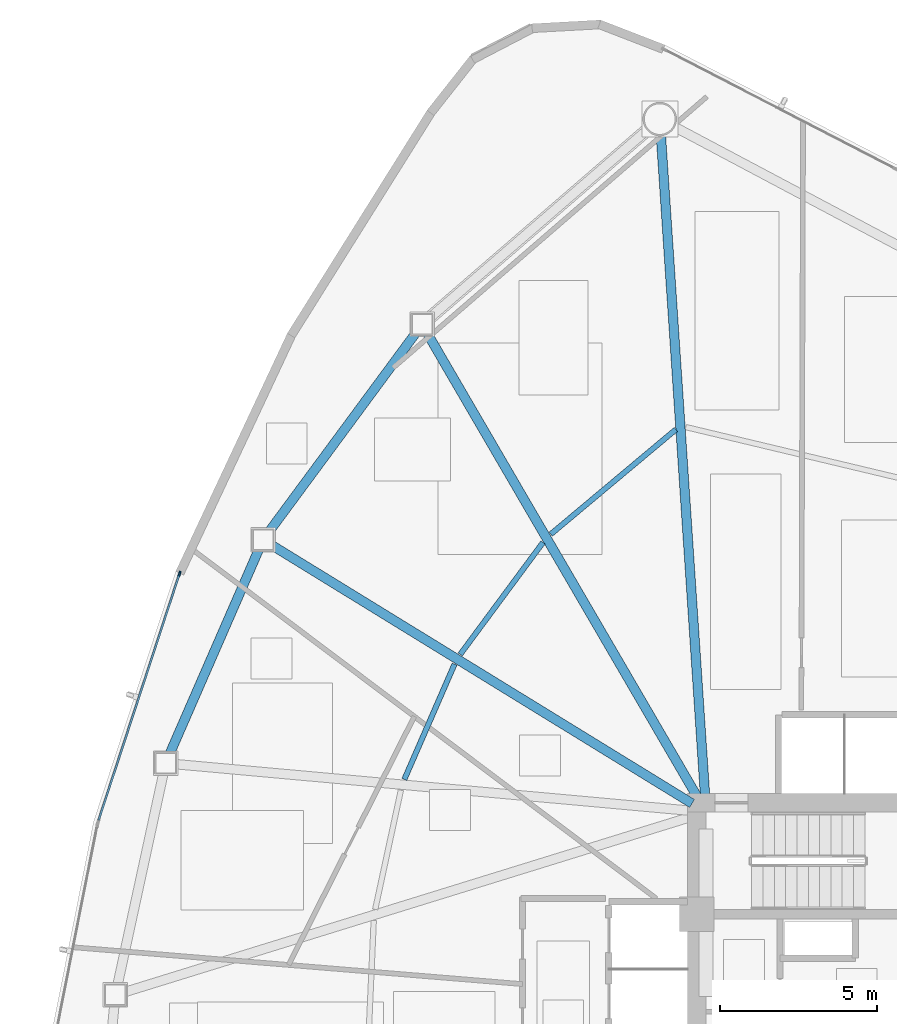
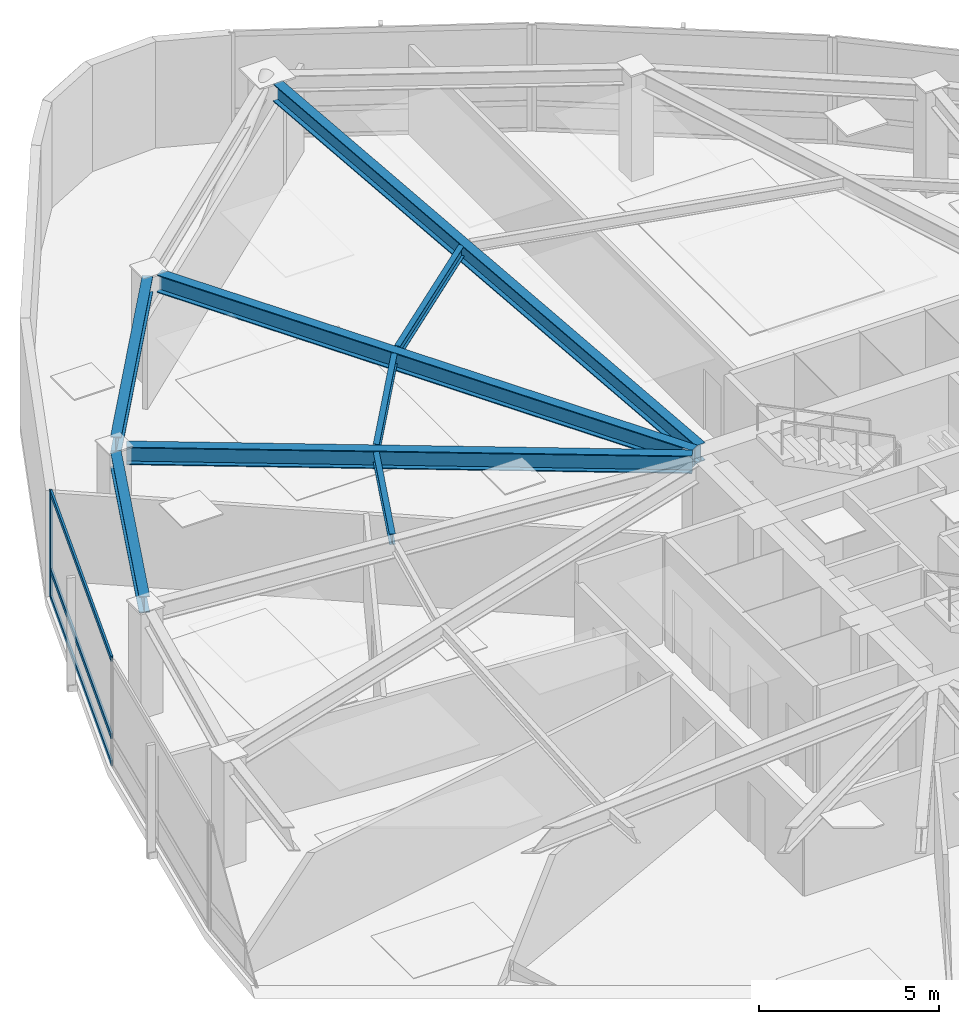
# One storey, part 7 of 17: 8 beams, 4 members, 1 element without a shape of its own.
"""IFC4 building model written with IfcOpenShell, lengths in metres."""

from ifc_helpers import new_model, si_unit, direction, frame, origin, origin_2d, place, context, subcontext, project, spatial, hollow_rectangle, i_section, extrude, source, transform, mapped, material, layer, layer_set, material_profile, profile_set, type_object, type_shapes, element, aggregate, save


model = new_model("IFC4")

# Units and contexts
model_context = context("Model", 3, precision=1e-05, world=origin(), true_north=direction((0.0, 1.0)))
body_context = subcontext(model_context, "Body", "Model", "MODEL_VIEW")
ifc_project = project(units=[si_unit("LENGTHUNIT", "METRE"), si_unit("AREAUNIT", "SQUARE_METRE"), si_unit("VOLUMEUNIT", "CUBIC_METRE"), si_unit("PLANEANGLEUNIT", "RADIAN"), si_unit("MASSUNIT", "GRAM", prefix="KILO")], contexts=[model_context])

# Site, building, storey
site_placement = place(None, origin())
site = spatial("IfcSite", under=ifc_project, at=site_placement, CompositionType="ELEMENT")
building_placement = place(site_placement, origin())
building = spatial("IfcBuilding", under=site, at=building_placement, Name="Tavelor Broadcast Tower", CompositionType="ELEMENT")
storey_placement = place(building_placement, frame((0.0, 0.0, 90.0)))
storey = spatial("IfcBuildingStorey", under=building, at=storey_placement, Name="L21", CompositionType="ELEMENT", Elevation=90.0)

# Beams
ifc_material_1 = material(Name="Steel S355", Category="steel")
ifc_material_profile_1 = material_profile(ifc_material_1, i_section(OverallWidth=0.169921875, OverallDepth=0.360107421875, WebThickness=0.008056640625, FlangeThickness=0.0126953125, at=origin_2d()), Name="IPE 360")
ifc_profile_set_1 = profile_set([ifc_material_profile_1], Name="Steel S355")
beam_type_1 = type_object("IfcBeamType", Name="Composite Floor Joist T2 IPE 360", PredefinedType="JOIST", material=ifc_profile_set_1)
beam_1_placement = place(storey_placement, frame((42.437744140625, 63.38671875, 3.419921875), z_axis=(-0.766764124222, -0.641928950746, 0.0), x_axis=(0.641928950746, -0.766764124222, 0.0)))
element("IfcBeam", 1, at=beam_1_placement, inside=storey, type_object=beam_type_1, Name="L21 Secondary Composite Floor Joist 01", PredefinedType="JOIST", context=body_context, shape_type="SweptSolid", body=[
    extrude(i_section(OverallWidth=0.169921875, OverallDepth=0.360107421875, WebThickness=0.008056640625, FlangeThickness=0.0126953125, at=origin_2d()), origin(), (0.0, 0.0, 1.0), 5.1982421875),
])
beam_2_placement = place(storey_placement, frame((38.20556640625, 59.7880859375, 3.419921875), z_axis=(-0.594699209794, -0.803948288057, 0.0), x_axis=(0.803948288057, -0.594699209794, 0.0)))
element("IfcBeam", 2, at=beam_2_placement, inside=storey, type_object=beam_type_1, Name="L21 Secondary Composite Floor Joist 02", PredefinedType="JOIST", context=body_context, shape_type="SweptSolid", body=[
    extrude(i_section(OverallWidth=0.169921875, OverallDepth=0.360107421875, WebThickness=0.008056640625, FlangeThickness=0.0126953125, at=origin_2d()), origin(), (0.0, 0.0, 1.0), 4.432373046875),
])
beam_3_placement = place(storey_placement, frame((35.3896484375, 55.9130859375, 3.419921875), z_axis=(-0.399446150725, -0.916756659464, 0.0), x_axis=(0.916756659464, -0.399446150725, 0.0)))
element("IfcBeam", 3, at=beam_3_placement, inside=storey, type_object=beam_type_1, Name="L21 Secondary Composite Floor Joist 03", PredefinedType="JOIST", context=body_context, shape_type="SweptSolid", body=[
    extrude(i_section(OverallWidth=0.169921875, OverallDepth=0.360107421875, WebThickness=0.008056640625, FlangeThickness=0.0126953125, at=origin_2d()), origin(), (0.0, 0.0, 1.0), 4.00390625),
])
ifc_material_profile_2 = material_profile(ifc_material_1, i_section(OverallWidth=0.300048828125, OverallDepth=0.550048828125, WebThickness=0.014892578125, FlangeThickness=0.029052734375, at=origin_2d()), Name="HEB 550")
ifc_profile_set_2 = profile_set([ifc_material_profile_2], Name="Steel S355")
beam_type_2 = type_object("IfcBeamType", Name="Perimeter Spandrel Beam T2 HEB 550", PredefinedType="SPANDREL", material=ifc_profile_set_2)
beam_4_placement = place(storey_placement, frame((34.156494140625, 66.45751953125, 3.324951171875), z_axis=(-0.59411824878, -0.804377713805, 0.0), x_axis=(0.804377713805, -0.59411824878, 0.0)))
element("IfcBeam", 4, at=beam_4_placement, inside=storey, type_object=beam_type_2, Name="L21 Framed-Tube Ring Spandrel 02", PredefinedType="SPANDREL", context=body_context, shape_type="SweptSolid", body=[
    extrude(i_section(OverallWidth=0.300048828125, OverallDepth=0.550048828125, WebThickness=0.014892578125, FlangeThickness=0.029052734375, at=origin_2d()), origin(), (0.0, 0.0, 1.0), 7.8515625),
])
beam_5_placement = place(storey_placement, frame((29.157958984375, 59.5634765625, 3.324951171875), z_axis=(-0.399859236649, -0.916576560287, 0.0), x_axis=(0.916576560287, -0.399859236649, 0.0)))
element("IfcBeam", 5, at=beam_5_placement, inside=storey, type_object=beam_type_2, Name="L21 Framed-Tube Ring Spandrel 03", PredefinedType="SPANDREL", context=body_context, shape_type="SweptSolid", body=[
    extrude(i_section(OverallWidth=0.300048828125, OverallDepth=0.550048828125, WebThickness=0.014892578125, FlangeThickness=0.029052734375, at=origin_2d()), origin(), (0.0, 0.0, 1.0), 7.088623046875),
])
ifc_material_profile_3 = material_profile(ifc_material_1, i_section(OverallWidth=0.300048828125, OverallDepth=0.60009765625, WebThickness=0.015380859375, FlangeThickness=0.030029296875, at=origin_2d()), Name="HEB 600")
ifc_profile_set_3 = profile_set([ifc_material_profile_3], Name="Steel S355")
beam_type_3 = type_object("IfcBeamType", Name="Radial Floor Girder T2 HEB 600", PredefinedType="BEAM", material=ifc_profile_set_3)
beam_6_placement = place(storey_placement, frame((43.36474609375, 51.726806640625, 3.300048828125), z_axis=(-0.066782727419, 0.997767541724, 0.0), x_axis=(-0.997767541724, -0.066782727419, 0.0)))
element("IfcBeam", 6, at=beam_6_placement, inside=storey, type_object=beam_type_3, Name="L21 Radial Primary Floor Girder 01", PredefinedType="BEAM", context=body_context, shape_type="SweptSolid", body=[
    extrude(i_section(OverallWidth=0.300048828125, OverallDepth=0.60009765625, WebThickness=0.015380859375, FlangeThickness=0.030029296875, at=origin_2d()), origin(), (0.0, 0.0, 1.0), 21.075439453125),
])
beam_7_placement = place(storey_placement, frame((43.13427734375, 51.65625, 3.300048828125), z_axis=(-0.503292320279, 0.864116219237, 0.0), x_axis=(-0.864116219237, -0.503292320279, 0.0)))
element("IfcBeam", 7, at=beam_7_placement, inside=storey, type_object=beam_type_3, Name="L21 Radial Primary Floor Girder 02", PredefinedType="BEAM", context=body_context, shape_type="SweptSolid", body=[
    extrude(i_section(OverallWidth=0.300048828125, OverallDepth=0.60009765625, WebThickness=0.015380859375, FlangeThickness=0.030029296875, at=origin_2d()), origin(), (0.0, 0.0, 1.0), 17.105712890625),
])
beam_8_placement = place(storey_placement, frame((42.9501953125, 51.4765625, 3.300048828125), z_axis=(-0.851937509834, 0.523643465859, 0.0), x_axis=(-0.523643465859, -0.851937509834, 0.0)))
element("IfcBeam", 8, at=beam_8_placement, inside=storey, type_object=beam_type_3, Name="L21 Radial Primary Floor Girder 03", PredefinedType="BEAM", context=body_context, shape_type="SweptSolid", body=[
    extrude(i_section(OverallWidth=0.300048828125, OverallDepth=0.60009765625, WebThickness=0.015380859375, FlangeThickness=0.030029296875, at=origin_2d()), origin(), (0.0, 0.0, 1.0), 15.69580078125),
])

# Curtain wall, members
ifc_material_2 = material(Name="Architectural Anodized Aluminium", Category="aluminium")
ifc_layer = layer(ifc_material_2, 0.179931640625)
ifc_layer_set = layer_set([ifc_layer], Name="Architectural Anodized Aluminium")
curtain_wall_type = type_object("IfcCurtainWallType", Name="Tower Low-Zone Unitised Curtain Wall CW02", PredefinedType="NOTDEFINED", material=ifc_layer_set)
curtain_wall_placement = place(storey_placement, origin())
curtain_wall = element("IfcCurtainWall", 9, at=curtain_wall_placement, inside=storey, type_object=curtain_wall_type, Name="L21 Curtain Wall CW02 Run 205", PredefinedType="NOTDEFINED")
ifc_material_profile_4 = material_profile(ifc_material_2, hollow_rectangle(XDim=0.06494140625, YDim=0.179931640625, WallThickness=0.02197265625, at=origin_2d()), Name="RHS 65x180x22")
ifc_profile_set_4 = profile_set([ifc_material_profile_4], Name="Architectural Anodized Aluminium")
member_type_1 = type_object("IfcMemberType", Name="CW02 Extruded Aluminium Mullion 65x180", PredefinedType="MULLION", material=ifc_profile_set_4)
shared_shape_1 = source(origin(), body_context, "Body", "SweptSolid", [
    extrude(hollow_rectangle(XDim=0.06494140625, YDim=0.179931640625, WallThickness=0.02197265625, at=origin_2d()), origin(), (0.0, 0.0, 1.0), 3.60009765625),
])
type_shapes(member_type_1, [shared_shape_1])
member_1_placement = place(storey_placement, frame((26.631103515625, 58.783935546875, 0.0), z_axis=(0.0, 0.0, 1.0), x_axis=(0.950104894143, -0.311930585428, 0.0)))
member_1 = element("IfcMember", 10, at=member_1_placement, type_object=member_type_1, Name="CW02 mullion 1", PredefinedType="MULLION", context=body_context, shape_type="MappedRepresentation", body=[
    mapped(shared_shape_1, transform((0.0, 0.0, 0.0), scale=1.0)),
])
ifc_material_profile_5 = material_profile(ifc_material_2, hollow_rectangle(XDim=0.06494140625, YDim=0.179931640625, WallThickness=0.02197265625, at=origin_2d()), Name="RHS 65x180x22")
ifc_profile_set_5 = profile_set([ifc_material_profile_5], Name="Architectural Anodized Aluminium")
member_type_2 = type_object("IfcMemberType", Name="CW02 Extruded Aluminium Transom 65x180", PredefinedType="USERDEFINED", material=ifc_profile_set_5)
shared_shape_2 = source(origin(), body_context, "Body", "SweptSolid", [
    extrude(hollow_rectangle(XDim=0.06494140625, YDim=0.179931640625, WallThickness=0.02197265625, at=origin_2d()), origin(), (0.0, 0.0, 1.0), 8.218994140625),
])
type_shapes(member_type_2, [shared_shape_2])
member_2_placement = place(storey_placement, frame((26.62109375, 58.7529296875, 0.032470703125), z_axis=(-0.311929222798, -0.950105341509, 0.0), x_axis=(0.950105341509, -0.311929222798, 0.0)))
member_2 = element("IfcMember", 11, at=member_2_placement, type_object=member_type_2, Name="CW02 transom 1.1", ObjectType="TRANSOM", PredefinedType="USERDEFINED", context=body_context, shape_type="MappedRepresentation", body=[
    mapped(shared_shape_2, transform((0.0, 0.0, 0.0), scale=1.0)),
])
member_3_placement = place(storey_placement, frame((26.62109375, 58.7529296875, 0.949951171875), z_axis=(-0.311929222798, -0.950105341509, 0.0), x_axis=(0.950105341509, -0.311929222798, 0.0)))
member_3 = element("IfcMember", 12, at=member_3_placement, type_object=member_type_2, Name="CW02 transom 1.2", ObjectType="TRANSOM", PredefinedType="USERDEFINED", context=body_context, shape_type="MappedRepresentation", body=[
    mapped(shared_shape_2, transform((0.0, 0.0, 0.0), scale=1.0)),
])
member_4_placement = place(storey_placement, frame((26.62109375, 58.7529296875, 3.5673828125), z_axis=(-0.311929222798, -0.950105341509, 0.0), x_axis=(0.950105341509, -0.311929222798, 0.0)))
member_4 = element("IfcMember", 13, at=member_4_placement, type_object=member_type_2, Name="CW02 transom 1.3", ObjectType="TRANSOM", PredefinedType="USERDEFINED", context=body_context, shape_type="MappedRepresentation", body=[
    mapped(shared_shape_2, transform((0.0, 0.0, 0.0), scale=1.0)),
])
aggregate(curtain_wall, [member_1, member_2, member_3, member_4])

save(model, "model.ifc")
